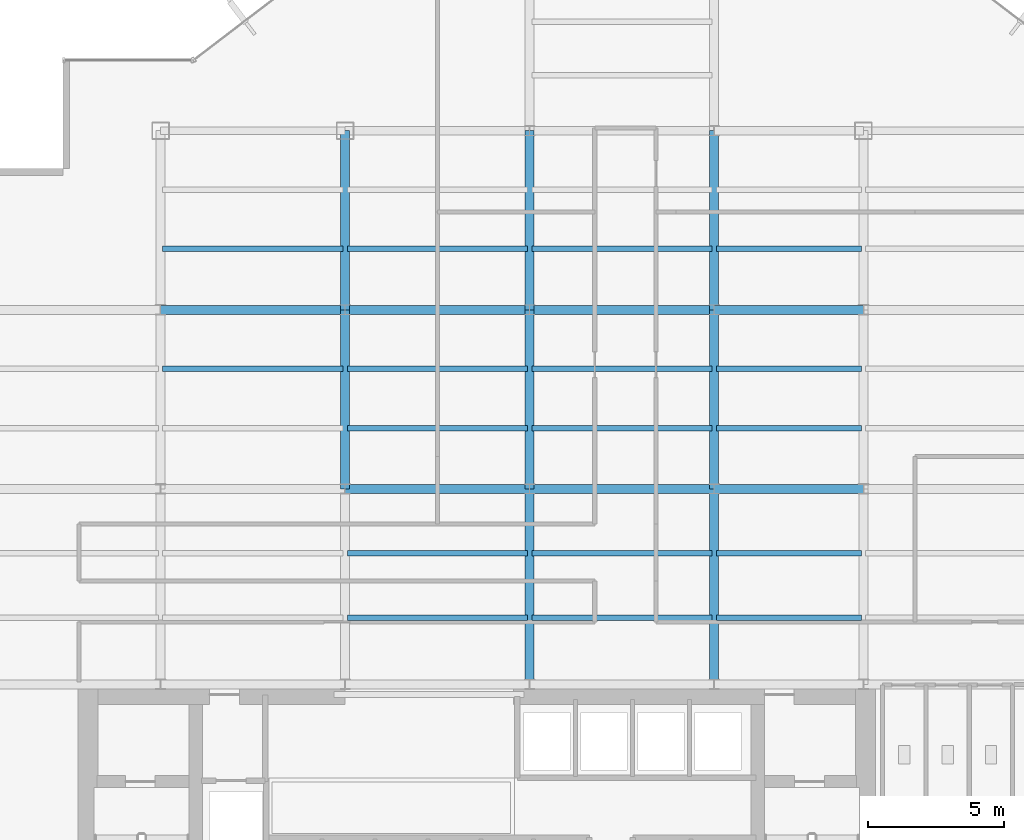
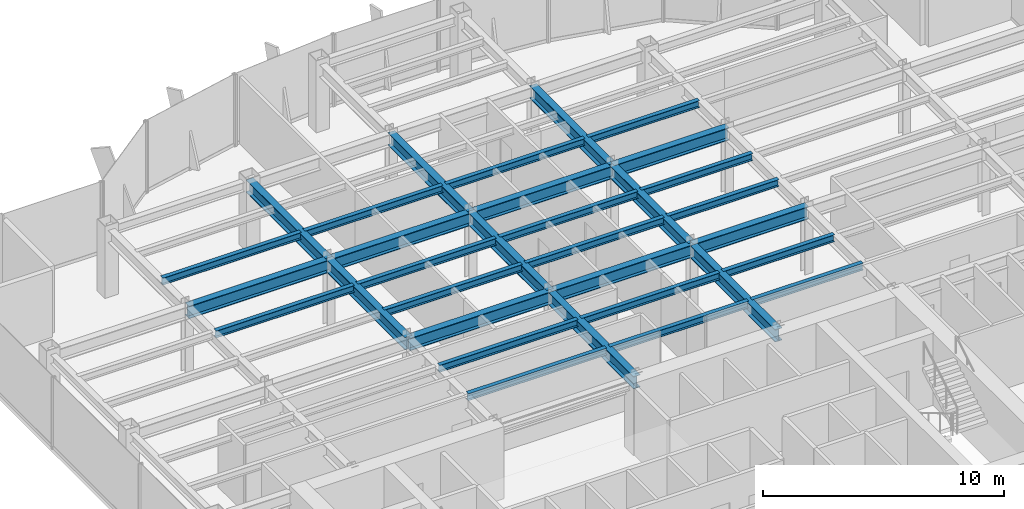
# One storey, part 8 of 25: 32 beams.
"""IFC4 building model written with IfcOpenShell, lengths in metres."""

from ifc_helpers import new_model, si_unit, derived_unit, direction, frame, origin, origin_2d, place, context, subcontext, project, spatial, i_section, extrude, source, transform, mapped, material, material_profile, profile_set, type_object, element, save


model = new_model("IFC4")

# Units and contexts
model_context = context("Model", 3, precision=1e-05, world=origin(), true_north=direction((0.0, 1.0)))
body_context = subcontext(model_context, "Body", "Model", "MODEL_VIEW")
ifc_project = project(units=[si_unit("LENGTHUNIT", "METRE"), si_unit("AREAUNIT", "SQUARE_METRE"), si_unit("VOLUMEUNIT", "CUBIC_METRE"), si_unit("PLANEANGLEUNIT", "RADIAN"), si_unit("MASSUNIT", "GRAM", prefix="KILO"), derived_unit("THERMALTRANSMITTANCEUNIT", [(si_unit("POWERUNIT", "WATT"), 1), (si_unit("LENGTHUNIT", "METRE"), -2), (si_unit("THERMODYNAMICTEMPERATUREUNIT", "KELVIN"), -1)])], contexts=[model_context])

# Site, building, storey
site_placement = place(None, origin())
site = spatial("IfcSite", under=ifc_project, at=site_placement, CompositionType="ELEMENT")
building_placement = place(site_placement, origin())
building = spatial("IfcBuilding", under=site, at=building_placement, Name="Skarnbrae Concourse Arena and Tower", CompositionType="ELEMENT")
storey_placement = place(building_placement, frame((0.0, 0.0, 147.89990234375)))
storey = spatial("IfcBuildingStorey", under=building, at=storey_placement, Name="L37", CompositionType="ELEMENT", Elevation=147.89990234375)

# Beams
ifc_material = material(Name="Steel CSA G40.21 350W", Category="steel")
ifc_material_profile_1 = material_profile(ifc_material, i_section(OverallWidth=0.3291015625, OverallDepth=0.635009765625, WebThickness=0.017822265625, FlangeThickness=0.031005859375, at=origin_2d()), Name="W610X241")
ifc_profile_set_1 = profile_set([ifc_material_profile_1], Name="Steel CSA G40.21 350W")
beam_type_1 = type_object("IfcBeamType", Name="BM-GIRD-W610X241", PredefinedType="BEAM", material=ifc_profile_set_1)
shared_shape_1 = source(origin(), body_context, "Body", "SweptSolid", [
    extrude(i_section(OverallWidth=0.3291015625, OverallDepth=0.635009765625, WebThickness=0.017822265625, FlangeThickness=0.031005859375, at=origin_2d()), origin(), (0.0, 0.0, 1.0), 6.60009765625),
])
for number, where, z_axis, x_axis, name in (
    (1, (14.39990234375, 21.199951171875, 3.08251953125), (0.0, 1.0, 0.0), (-1.0, 0.0, 0.0), "L37 Primary N-S girder X14.4-2"),
    (2, (21.199951171875, 21.199951171875, 3.08251953125), (0.0, 1.0, 0.0), (-1.0, 0.0, 0.0), "L37 Primary N-S girder X21.2-2"),
    (3, (28.0, 21.199951171875, 3.08251953125), (0.0, 1.0, 0.0), (-1.0, 0.0, 0.0), "L37 Primary N-S girder X28.0-2"),
):
    element("IfcBeam", number, at=place(storey_placement, frame(where, z_axis=z_axis, x_axis=x_axis)), inside=storey, type_object=beam_type_1, Name=name, PredefinedType="BEAM", context=body_context, shape_type="MappedRepresentation", body=[
        mapped(shared_shape_1, transform((0.0, 0.0, 0.0))),
    ])
shared_shape_2 = source(origin(), body_context, "Body", "SweptSolid", [
    extrude(i_section(OverallWidth=0.3291015625, OverallDepth=0.635009765625, WebThickness=0.017822265625, FlangeThickness=0.031005859375, at=origin_2d()), origin(), (0.0, 0.0, 1.0), 6.7998046875),
])
beam_placement = place(storey_placement, frame((7.60009765625, 27.800048828125, 3.08251953125), z_axis=(1.0, 0.0, 0.0), x_axis=(0.0, 1.0, 0.0)))
element("IfcBeam", 4, at=beam_placement, inside=storey, type_object=beam_type_1, Name="L37 Primary E-W girder Y27.8-2", PredefinedType="BEAM", context=body_context, shape_type="MappedRepresentation", body=[
    mapped(shared_shape_2, transform((0.0, 0.0, 0.0))),
])
shared_shape_3 = source(origin(), body_context, "Body", "SweptSolid", [
    extrude(i_section(OverallWidth=0.3291015625, OverallDepth=0.635009765625, WebThickness=0.017822265625, FlangeThickness=0.031005859375, at=origin_2d()), origin(), (0.0, 0.0, 1.0), 6.800048828125),
])
for number, where, z_axis, x_axis, name in (
    (5, (14.39990234375, 21.199951171875, 3.08251953125), (1.0, 0.0, 0.0), (0.0, 1.0, 0.0), "L37 Primary E-W girder Y21.2-3"),
    (6, (21.199951171875, 21.199951171875, 3.08251953125), (1.0, 0.0, 0.0), (0.0, 1.0, 0.0), "L37 Primary E-W girder Y21.2-4"),
    (7, (14.39990234375, 27.800048828125, 3.08251953125), (1.0, 0.0, 0.0), (0.0, 1.0, 0.0), "L37 Primary E-W girder Y27.8-3"),
    (8, (21.199951171875, 27.800048828125, 3.08251953125), (1.0, 0.0, 0.0), (0.0, 1.0, 0.0), "L37 Primary E-W girder Y27.8-4"),
):
    element("IfcBeam", number, at=place(storey_placement, frame(where, z_axis=z_axis, x_axis=x_axis)), inside=storey, type_object=beam_type_1, Name=name, PredefinedType="BEAM", context=body_context, shape_type="MappedRepresentation", body=[
        mapped(shared_shape_3, transform((0.0, 0.0, 0.0))),
    ])
shared_shape_4 = source(origin(), body_context, "Body", "SweptSolid", [
    extrude(i_section(OverallWidth=0.3291015625, OverallDepth=0.635009765625, WebThickness=0.017822265625, FlangeThickness=0.031005859375, at=origin_2d()), origin(), (0.0, 0.0, 1.0), 5.5),
])
for number, where, z_axis, x_axis, name in (
    (9, (28.0, 21.199951171875, 3.08251953125), (1.0, 0.0, 0.0), (0.0, 1.0, 0.0), "L37 Primary E-W girder Y21.2-5"),
    (10, (28.0, 27.800048828125, 3.08251953125), (1.0, 0.0, 0.0), (0.0, 1.0, 0.0), "L37 Primary E-W girder Y27.8-5"),
):
    element("IfcBeam", number, at=place(storey_placement, frame(where, z_axis=z_axis, x_axis=x_axis)), inside=storey, type_object=beam_type_1, Name=name, PredefinedType="BEAM", context=body_context, shape_type="MappedRepresentation", body=[
        mapped(shared_shape_4, transform((0.0, 0.0, 0.0))),
    ])
shared_shape_5 = source(origin(), body_context, "Body", "SweptSolid", [
    extrude(i_section(OverallWidth=0.3291015625, OverallDepth=0.635009765625, WebThickness=0.017822265625, FlangeThickness=0.031005859375, at=origin_2d()), origin(), (0.0, 0.0, 1.0), 7.199951171875),
])
for number, where, z_axis, x_axis, name in (
    (11, (21.199951171875, 14.0, 3.08251953125), (0.0, 1.0, 0.0), (-1.0, 0.0, 0.0), "L37 Primary N-S girder X21.2-1"),
    (12, (28.0, 14.0, 3.08251953125), (0.0, 1.0, 0.0), (-1.0, 0.0, 0.0), "L37 Primary N-S girder X28.0-1"),
):
    element("IfcBeam", number, at=place(storey_placement, frame(where, z_axis=z_axis, x_axis=x_axis)), inside=storey, type_object=beam_type_1, Name=name, PredefinedType="BEAM", context=body_context, shape_type="MappedRepresentation", body=[
        mapped(shared_shape_5, transform((0.0, 0.0, 0.0))),
    ])
shared_shape_6 = source(origin(), body_context, "Body", "SweptSolid", [
    extrude(i_section(OverallWidth=0.3291015625, OverallDepth=0.635009765625, WebThickness=0.017822265625, FlangeThickness=0.031005859375, at=origin_2d()), origin(), (0.0, 0.0, 1.0), 6.599853515625),
])
for number, where, z_axis, x_axis, name in (
    (13, (14.39990234375, 27.800048828125, 3.08251953125), (0.0, 1.0, 0.0), (-1.0, 0.0, 0.0), "L37 Primary N-S girder X14.4-3"),
    (14, (21.199951171875, 27.800048828125, 3.08251953125), (0.0, 1.0, 0.0), (-1.0, 0.0, 0.0), "L37 Primary N-S girder X21.2-3"),
    (15, (28.0, 27.800048828125, 3.08251953125), (0.0, 1.0, 0.0), (-1.0, 0.0, 0.0), "L37 Primary N-S girder X28.0-3"),
):
    element("IfcBeam", number, at=place(storey_placement, frame(where, z_axis=z_axis, x_axis=x_axis)), inside=storey, type_object=beam_type_1, Name=name, PredefinedType="BEAM", context=body_context, shape_type="MappedRepresentation", body=[
        mapped(shared_shape_6, transform((0.0, 0.0, 0.0))),
    ])
ifc_material_profile_2 = material_profile(ifc_material, i_section(OverallWidth=0.205078125, OverallDepth=0.35400390625, WebThickness=0.009521484375, FlangeThickness=0.016845703125, at=origin_2d()), Name="W360X79")
ifc_profile_set_2 = profile_set([ifc_material_profile_2], Name="Steel CSA G40.21 350W")
beam_type_2 = type_object("IfcBeamType", Name="BM-JOIST-W360X79", PredefinedType="JOIST", material=ifc_profile_set_2)
shared_shape_7 = source(origin(), body_context, "Body", "SweptSolid", [
    extrude(i_section(OverallWidth=0.205078125, OverallDepth=0.35400390625, WebThickness=0.009521484375, FlangeThickness=0.016845703125, at=origin_2d()), origin(), (0.0, 0.0, 1.0), 6.64013671875),
])
for number, where, z_axis, x_axis, name in (
    (16, (14.47998046875, 16.447998046875, 3.22314453125), (1.0, 0.0, 0.0), (0.0, 1.0, 0.0), "L37 Secondary floor joist 1.1.3"),
    (17, (14.47998046875, 18.823974609375, 3.22314453125), (1.0, 0.0, 0.0), (0.0, 1.0, 0.0), "L37 Secondary floor joist 1.2.3"),
    (18, (14.47998046875, 23.444091796875, 3.22314453125), (1.0, 0.0, 0.0), (0.0, 1.0, 0.0), "L37 Secondary floor joist 2.1.3"),
    (19, (7.679931640625, 25.6220703125, 3.22314453125), (1.0, 0.0, 0.0), (0.0, 1.0, 0.0), "L37 Secondary floor joist 2.2.2"),
    (20, (14.47998046875, 25.6220703125, 3.22314453125), (1.0, 0.0, 0.0), (0.0, 1.0, 0.0), "L37 Secondary floor joist 2.2.3"),
    (21, (7.679931640625, 30.0439453125, 3.22314453125), (1.0, 0.0, 0.0), (0.0, 1.0, 0.0), "L37 Secondary floor joist 3.1.1"),
    (22, (14.47998046875, 30.0439453125, 3.22314453125), (1.0, 0.0, 0.0), (0.0, 1.0, 0.0), "L37 Secondary floor joist 3.1.2"),
):
    element("IfcBeam", number, at=place(storey_placement, frame(where, z_axis=z_axis, x_axis=x_axis)), inside=storey, type_object=beam_type_2, Name=name, PredefinedType="JOIST", context=body_context, shape_type="MappedRepresentation", body=[
        mapped(shared_shape_7, transform((0.0, 0.0, 0.0))),
    ])
shared_shape_8 = source(origin(), body_context, "Body", "SweptSolid", [
    extrude(i_section(OverallWidth=0.205078125, OverallDepth=0.35400390625, WebThickness=0.009521484375, FlangeThickness=0.016845703125, at=origin_2d()), origin(), (0.0, 0.0, 1.0), 6.639892578125),
])
for number, where, z_axis, x_axis, name in (
    (23, (21.280029296875, 16.447998046875, 3.22314453125), (1.0, 0.0, 0.0), (0.0, 1.0, 0.0), "L37 Secondary floor joist 1.1.4"),
    (24, (21.280029296875, 18.823974609375, 3.22314453125), (1.0, 0.0, 0.0), (0.0, 1.0, 0.0), "L37 Secondary floor joist 1.2.4"),
    (25, (21.280029296875, 23.444091796875, 3.22314453125), (1.0, 0.0, 0.0), (0.0, 1.0, 0.0), "L37 Secondary floor joist 2.1.4"),
    (26, (21.280029296875, 25.6220703125, 3.22314453125), (1.0, 0.0, 0.0), (0.0, 1.0, 0.0), "L37 Secondary floor joist 2.2.4"),
    (27, (21.280029296875, 30.0439453125, 3.22314453125), (1.0, 0.0, 0.0), (0.0, 1.0, 0.0), "L37 Secondary floor joist 3.1.3"),
):
    element("IfcBeam", number, at=place(storey_placement, frame(where, z_axis=z_axis, x_axis=x_axis)), inside=storey, type_object=beam_type_2, Name=name, PredefinedType="JOIST", context=body_context, shape_type="MappedRepresentation", body=[
        mapped(shared_shape_8, transform((0.0, 0.0, 0.0))),
    ])
shared_shape_9 = source(origin(), body_context, "Body", "SweptSolid", [
    extrude(i_section(OverallWidth=0.205078125, OverallDepth=0.35400390625, WebThickness=0.009521484375, FlangeThickness=0.016845703125, at=origin_2d()), origin(), (0.0, 0.0, 1.0), 5.33984375),
])
for number, where, z_axis, x_axis, name in (
    (28, (28.080078125, 16.447998046875, 3.22314453125), (1.0, 0.0, 0.0), (0.0, 1.0, 0.0), "L37 Secondary floor joist 1.1.5"),
    (29, (28.080078125, 18.823974609375, 3.22314453125), (1.0, 0.0, 0.0), (0.0, 1.0, 0.0), "L37 Secondary floor joist 1.2.5"),
    (30, (28.080078125, 23.444091796875, 3.22314453125), (1.0, 0.0, 0.0), (0.0, 1.0, 0.0), "L37 Secondary floor joist 2.1.5"),
    (31, (28.080078125, 25.6220703125, 3.22314453125), (1.0, 0.0, 0.0), (0.0, 1.0, 0.0), "L37 Secondary floor joist 2.2.5"),
    (32, (28.080078125, 30.0439453125, 3.22314453125), (1.0, 0.0, 0.0), (0.0, 1.0, 0.0), "L37 Secondary floor joist 3.1.4"),
):
    element("IfcBeam", number, at=place(storey_placement, frame(where, z_axis=z_axis, x_axis=x_axis)), inside=storey, type_object=beam_type_2, Name=name, PredefinedType="JOIST", context=body_context, shape_type="MappedRepresentation", body=[
        mapped(shared_shape_9, transform((0.0, 0.0, 0.0))),
    ])

save(model, "model.ifc")
